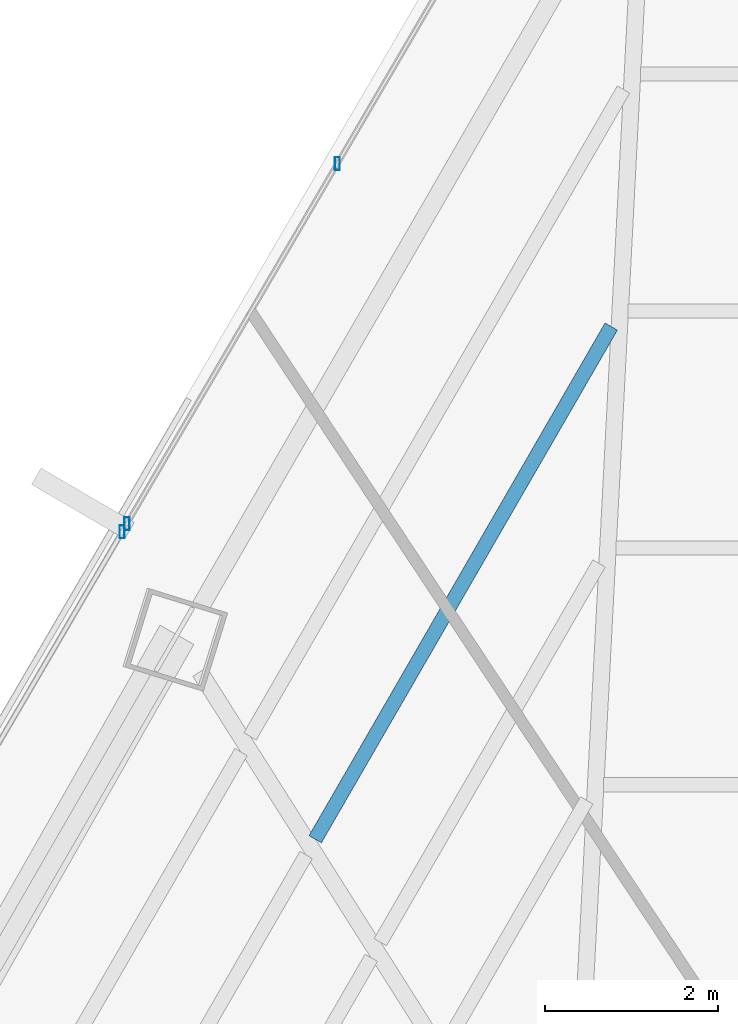
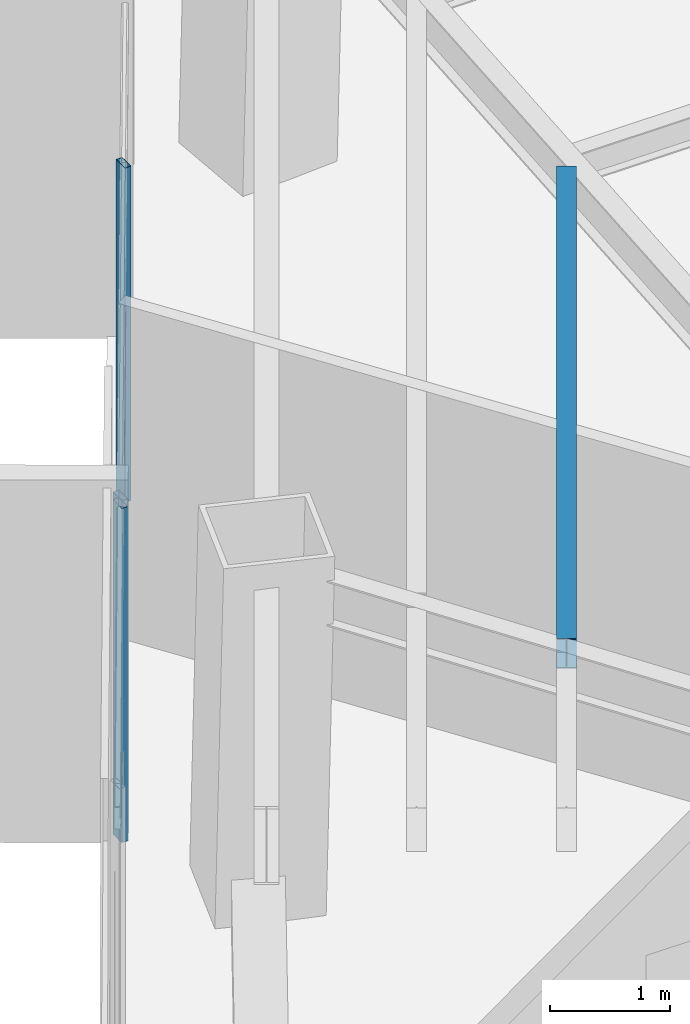
# One storey, part 26 of 41: 3 members, 1 beam, 2 elements without a shape of their own.
"""IFC4 building model written with IfcOpenShell, lengths in metres."""

import ifcopenshell
import ifcopenshell.guid

model = None  # the IFC model being written
_history = None  # IfcOwnerHistory: only IFC2X3 demands one
_inside = {}  # id of a spatial element -> (the spatial element, [elements in it])
_under = {}  # id of a project, library or spatial element -> (it, [spatial elements below it])
_declared = {}  # id of a project -> (the project, [libraries it declares])
_typed = {}  # id of a type object -> (the type object, [elements of that type])
_made_of = {}  # id of a material, layer set ... -> (it, [elements and type objects made of it])


def new_model(schema):
    """Start an empty IFC model of exactly this schema.

    Asked for "IFC4X3", IfcOpenShell would pick the latest addendum, in which some entities
    have other attributes; the version numbers below select the first issue.
    IFC2X3 requires an IfcOwnerHistory on every rooted entity: one is made here for all.
    """
    global model, _history
    if schema == "IFC4X3":
        model = ifcopenshell.file(schema_version=(4, 3, 0, 0))
    else:
        model = ifcopenshell.file(schema=schema)
    _inside.clear()
    _under.clear()
    _declared.clear()
    _typed.clear()
    _made_of.clear()
    _history = None
    if model.schema == "IFC2X3":
        org = make("IfcOrganization", Name="unknown")
        user = make(
            "IfcPersonAndOrganization",
            ThePerson=make("IfcPerson", FamilyName="unknown"),
            TheOrganization=org,
        )
        app = make(
            "IfcApplication",
            ApplicationDeveloper=org,
            Version="unknown",
            ApplicationFullName="unknown",
            ApplicationIdentifier="unknown",
        )
        _history = make(
            "IfcOwnerHistory",
            OwningUser=user,
            OwningApplication=app,
            ChangeAction="ADDED",
            CreationDate=0,
        )
    return model


def make(cls, **values):
    """One entity of the class cls with the attributes given. An attribute that is None is left unset."""
    return model.create_entity(
        cls, **{name: value for name, value in values.items() if value is not None}
    )


def rooted(cls, **values):
    """An entity with a GlobalId (a new one), such as an element, a storey or a relation."""
    return make(cls, GlobalId=ifcopenshell.guid.new(), OwnerHistory=_history, **values)


def si_unit(unit_type, name, prefix=None):
    """IfcSIUnit, for example si_unit("LENGTHUNIT", "METRE", prefix="MILLI")."""
    return make("IfcSIUnit", UnitType=unit_type, Prefix=prefix, Name=name)


def assignment(units):
    """IfcUnitAssignment: the units of a project."""
    return None if units is None else make("IfcUnitAssignment", Units=units)


def point(xyz):
    """IfcCartesianPoint."""
    return None if xyz is None else make("IfcCartesianPoint", Coordinates=xyz)


def direction(xyz):
    """IfcDirection."""
    return None if xyz is None else make("IfcDirection", DirectionRatios=xyz)


def frame(location, z_axis=None, x_axis=None):
    """IfcAxis2Placement3D, a coordinate frame: its origin and axes. An axis left out is left unset."""
    return make(
        "IfcAxis2Placement3D",
        Location=point(location),
        Axis=direction(z_axis),
        RefDirection=direction(x_axis),
    )


def frame_2d(location, x_axis=None):
    """IfcAxis2Placement2D, a coordinate frame in the plane: its origin and x axis."""
    return make(
        "IfcAxis2Placement2D", Location=point(location), RefDirection=direction(x_axis)
    )


def origin():
    """The frame at (0, 0, 0) with its axes left unset."""
    return frame((0.0, 0.0, 0.0))


def origin_2d():
    """The frame at (0, 0) in the plane with its x axis left unset."""
    return frame_2d((0.0, 0.0))


def place(relative_to, where):
    """IfcLocalPlacement: puts the frame where relative to a parent placement (None: the world)."""
    return make(
        "IfcLocalPlacement", PlacementRelTo=relative_to, RelativePlacement=where
    )


def context(
    kind, dimensions, precision=None, world=None, true_north=None, identifier=None
):
    """IfcGeometricRepresentationContext, for example the 3D "Model" context."""
    return make(
        "IfcGeometricRepresentationContext",
        ContextIdentifier=identifier,
        ContextType=kind,
        CoordinateSpaceDimension=dimensions,
        Precision=precision,
        WorldCoordinateSystem=world,
        TrueNorth=true_north,
    )


def subcontext(parent, identifier, kind, view, scale=None):
    """IfcGeometricRepresentationSubContext, for example "Body" below "Model"."""
    return make(
        "IfcGeometricRepresentationSubContext",
        ContextIdentifier=identifier,
        ContextType=kind,
        ParentContext=parent,
        TargetScale=scale,
        TargetView=view,
    )


def project(units=None, contexts=None):
    """IfcProject with its units and contexts."""
    return rooted(
        "IfcProject",
        Name="project",
        RepresentationContexts=contexts,
        UnitsInContext=assignment(units),
    )


def spatial(cls, under=None, at=None, **own):
    """A site, building, storey or space (cls), placed at a placement, below another one or the project."""
    s = rooted(cls, ObjectPlacement=at, **own)
    if under is not None:
        _under.setdefault(under.id(), (under, []))[1].append(s)
    return s


def profile(cls, at=None, kind="AREA", **sizes):
    """A parametric profile (cls). Its sizes go by their IFC names, for example OverallWidth=200.0."""
    return make(cls, ProfileType=kind, Position=at, **sizes)


def hollow_rectangle(**sizes):
    """IfcRectangleHollowProfileDef."""
    return profile("IfcRectangleHollowProfileDef", **sizes)


def i_section(**sizes):
    """IfcIShapeProfileDef."""
    return profile("IfcIShapeProfileDef", **sizes)


def extrude(swept, where, along, depth):
    """IfcExtrudedAreaSolid: the profile swept, set in the frame where, extruded along a direction by depth."""
    return make(
        "IfcExtrudedAreaSolid",
        SweptArea=swept,
        Position=where,
        ExtrudedDirection=direction(along),
        Depth=depth,
    )


def shape(context_of_items, identifier, shape_type, items):
    """IfcShapeRepresentation: the items that make up one representation, for example the "Body"."""
    return make(
        "IfcShapeRepresentation",
        ContextOfItems=context_of_items,
        RepresentationIdentifier=identifier,
        RepresentationType=shape_type,
        Items=items,
    )


def source(mapping_origin, context_of_items, identifier, shape_type, items):
    """IfcRepresentationMap: a shape defined once, which mapped items show again and again."""
    return make(
        "IfcRepresentationMap",
        MappingOrigin=mapping_origin,
        MappedRepresentation=shape(context_of_items, identifier, shape_type, items),
    )


def transform(
    local_origin,
    x_axis=None,
    y_axis=None,
    z_axis=None,
    scale=None,
    scale2=None,
    scale3=None,
    uniform=True,
):
    """IfcCartesianTransformationOperator3D, or its non-uniform kind. x_axis, y_axis, z_axis: its Axis1, 2, 3."""
    if uniform:
        return make(
            "IfcCartesianTransformationOperator3D",
            Axis1=direction(x_axis),
            Axis2=direction(y_axis),
            LocalOrigin=point(local_origin),
            Scale=scale,
            Axis3=direction(z_axis),
        )
    return make(
        "IfcCartesianTransformationOperator3DnonUniform",
        Axis1=direction(x_axis),
        Axis2=direction(y_axis),
        LocalOrigin=point(local_origin),
        Scale=scale,
        Axis3=direction(z_axis),
        Scale2=scale2,
        Scale3=scale3,
    )


def mapped(mapping_source, mapping_target):
    """IfcMappedItem: shows the shape of a source again, moved by a transform."""
    return make(
        "IfcMappedItem", MappingSource=mapping_source, MappingTarget=mapping_target
    )


def material(Name=None, Category=None):
    """IfcMaterial."""
    return make("IfcMaterial", Name=Name, Category=Category)


def material_profile(
    of_material, cross_section, Name=None, Category=None, Priority=None
):
    """IfcMaterialProfile: a cross section and its material."""
    return make(
        "IfcMaterialProfile",
        Name=Name,
        Material=of_material,
        Profile=cross_section,
        Priority=Priority,
        Category=Category,
    )


def profile_set(profiles, Name=None, composite=None):
    """IfcMaterialProfileSet."""
    return make(
        "IfcMaterialProfileSet",
        Name=Name,
        MaterialProfiles=profiles,
        CompositeProfile=composite,
    )


def made_of(thing, what):
    """Note that an element or type object is made of a material, layer set ...; save() writes the relation."""
    if what is not None:
        _made_of.setdefault(what.id(), (what, []))[1].append(thing)
    return thing


def type_object(cls, material=None, **own):
    """A type object (cls), such as IfcWallType, which elements share."""
    return made_of(rooted(cls, **own), material)


def type_shapes(of_type, sources):
    """Give a type object the sources (RepresentationMaps) that its elements show as mapped items."""
    of_type.RepresentationMaps = sources


def element(
    cls,
    number,
    at=None,
    inside=None,
    cuts=None,
    type_object=None,
    material=None,
    context=None,
    identifier="Body",
    shape_type=None,
    held_by="IfcProductDefinitionShape",
    body=None,
    shapes=None,
    **own,
):
    """One element of the class cls, such as IfcWall. Its Tag is "e" and its number.

    at: its placement. inside: the storey or other place that contains it. cuts: it is an
    opening in that element (IfcRelVoidsElement). A single representation is given by context,
    identifier, shape_type and body (its items); several are given by shapes. held_by: the class
    of the entity that holds the representations. save() writes the other relations.
    """
    e = rooted(cls, Tag="e%d" % number, ObjectPlacement=at, **own)
    if body is not None:
        shapes = [shape(context, identifier, shape_type, body)]
    if shapes is not None:
        e.Representation = make(held_by, Representations=shapes)
    if inside is not None:
        _inside.setdefault(inside.id(), (inside, []))[1].append(e)
    if cuts is not None:
        rooted(
            "IfcRelVoidsElement", RelatingBuildingElement=cuts, RelatedOpeningElement=e
        )
    if type_object is not None:
        _typed.setdefault(type_object.id(), (type_object, []))[1].append(e)
    return made_of(e, material)


def aggregate(whole, parts):
    """IfcRelAggregates: a whole, such as a stair, and the parts it consists of."""
    return rooted("IfcRelAggregates", RelatingObject=whole, RelatedObjects=parts)


def save(model, path):
    """Write the relations noted so far, then the file.

    IfcRelAggregates (storeys below a building ...), IfcRelContainedInSpatialStructure (elements
    in a storey), IfcRelDefinesByType, IfcRelAssociatesMaterial and IfcRelDeclares: one each for
    every whole, place, type object, material and project.
    """
    for whole, parts in _under.values():
        aggregate(whole, parts)
    for where, things in _inside.values():
        rooted(
            "IfcRelContainedInSpatialStructure",
            RelatedElements=things,
            RelatingStructure=where,
        )
    for kind, things in _typed.values():
        rooted("IfcRelDefinesByType", RelatedObjects=things, RelatingType=kind)
    for what, things in _made_of.values():
        rooted("IfcRelAssociatesMaterial", RelatedObjects=things, RelatingMaterial=what)
    for by, libraries in _declared.values():
        rooted("IfcRelDeclares", RelatingContext=by, RelatedDefinitions=libraries)
    model.write(path)


model = new_model("IFC4")

# Units and contexts
model_context = context("Model", 3, precision=1e-05, world=origin(), true_north=direction((0.0, 1.0)))
body_context = subcontext(model_context, "Body", "Model", "MODEL_VIEW")
ifc_project = project(units=[si_unit("LENGTHUNIT", "METRE"), si_unit("AREAUNIT", "SQUARE_METRE"), si_unit("VOLUMEUNIT", "CUBIC_METRE"), si_unit("PLANEANGLEUNIT", "RADIAN"), si_unit("MASSUNIT", "GRAM", prefix="KILO")], contexts=[model_context])

# Site, building, storey
site_placement = place(None, origin())
site = spatial("IfcSite", under=ifc_project, at=site_placement, CompositionType="ELEMENT")
building_placement = place(site_placement, origin())
building = spatial("IfcBuilding", under=site, at=building_placement, Name="Caelisora Broadcast Tower", CompositionType="ELEMENT")
storey_placement = place(building_placement, frame((0.0, 0.0, 135.449951171875)))
storey = spatial("IfcBuildingStorey", under=building, at=storey_placement, Name="L35", CompositionType="ELEMENT", Elevation=135.449951171875)

# Beam
ifc_material_1 = material(Name="Steel Grade 350 (AS/NZS 3679.1)", Category="steel")
ifc_material_profile_1 = material_profile(ifc_material_1, i_section(OverallWidth=0.166015625, OverallDepth=0.30712890625, WebThickness=0.006591796875, FlangeThickness=0.01171875, at=origin_2d()), Name="Steel Grade 350 (AS/NZS 3679.1)")
ifc_profile_set_1 = profile_set([ifc_material_profile_1], Name="Steel Grade 350 (AS/NZS 3679.1)")
beam_type = type_object("IfcBeamType", Name="SB03", PredefinedType="JOIST", material=ifc_profile_set_1)
shared_shape_1 = source(origin(), body_context, "Body", "SweptSolid", [
    extrude(i_section(OverallWidth=0.166015625, OverallDepth=0.30712890625, WebThickness=0.006591796875, FlangeThickness=0.01171875, at=origin_2d()), origin(), (0.0, 0.0, 1.0), 6.858642578125),
])
type_shapes(beam_type, [shared_shape_1])
beam_placement = place(storey_placement, frame((30.964599609375, 40.79931640625, 3.246337890625), z_axis=(-0.500017227506, -0.866015457251, 0.0), x_axis=(0.866015457251, -0.500017227506, 0.0)))
element("IfcBeam", 1, at=beam_placement, inside=storey, type_object=beam_type, Name="L35 beam SB03", PredefinedType="JOIST", context=body_context, shape_type="MappedRepresentation", body=[
    mapped(shared_shape_1, transform((0.0, 0.0, 0.0), scale=1.0)),
])

# Curtain wall, member
ifc_material_2 = material(Name="Unitised Aluminium Insulated Shadow-Box Spandrel Curtain Wall", Category="aluminium")
curtain_wall_type_1 = type_object("IfcCurtainWallType", Name="CW-SP2", PredefinedType="NOTDEFINED", material=ifc_material_2)
curtain_wall_1_placement = place(storey_placement, origin())
curtain_wall_1 = element("IfcCurtainWall", 2, at=curtain_wall_1_placement, inside=storey, type_object=curtain_wall_type_1, Name="L35 curtain wall CW-SP2", PredefinedType="NOTDEFINED")
ifc_material_3 = material(Name="Aluminium 6063-T6 Anodised Terracotta Bronze", Category="aluminium")
ifc_material_profile_2 = material_profile(ifc_material_3, hollow_rectangle(XDim=0.06005859375, YDim=0.14990234375, WallThickness=0.00341796875, at=origin_2d()), Name="Aluminium 6063-T6 Anodised Terracotta Bronze")
ifc_profile_set_2 = profile_set([ifc_material_profile_2], Name="Aluminium 6063-T6 Anodised Terracotta Bronze")
member_type = type_object("IfcMemberType", Name="CWM-03", PredefinedType="MULLION", material=ifc_profile_set_2)
shared_shape_2 = source(origin(), body_context, "Body", "SweptSolid", [
    extrude(hollow_rectangle(XDim=0.06005859375, YDim=0.14990234375, WallThickness=0.00341796875, at=origin_2d()), origin(), (0.0, 0.0, 1.0), 3.400146484375),
])
type_shapes(member_type, [shared_shape_2])
member_1_placement = place(storey_placement, frame((25.299072265625, 38.419921875, 0.0), z_axis=(0.0, 0.0, 1.0), x_axis=(1.0, 0.0, 0.0)))
member_1 = element("IfcMember", 3, at=member_1_placement, type_object=member_type, Name="L35-CW-B10 mullion #3", PredefinedType="MULLION", context=body_context, shape_type="MappedRepresentation", body=[
    mapped(shared_shape_2, transform((0.0, 0.0, 0.0), scale=1.0)),
])
aggregate(curtain_wall_1, [member_1])

# Curtain wall, members
ifc_material_4 = material(Name="Unitised Aluminium and Low-E Glass Curtain Wall", Category="glass")
curtain_wall_type_2 = type_object("IfcCurtainWallType", Name="CW-Z3", PredefinedType="NOTDEFINED", material=ifc_material_4)
curtain_wall_2_placement = place(storey_placement, origin())
curtain_wall_2 = element("IfcCurtainWall", 4, at=curtain_wall_2_placement, inside=storey, type_object=curtain_wall_type_2, Name="L35 curtain wall CW-Z3", PredefinedType="NOTDEFINED")
member_2_placement = place(storey_placement, frame((25.3544921875, 38.514892578125, 0.0), z_axis=(0.0, 0.0, 1.0), x_axis=(1.0, 0.0, 0.0)))
member_2 = element("IfcMember", 5, at=member_2_placement, type_object=member_type, Name="L35-CW-B11 mullion #0", PredefinedType="MULLION", context=body_context, shape_type="MappedRepresentation", body=[
    mapped(shared_shape_2, transform((0.0, 0.0, 0.0), scale=1.0)),
])
member_3_placement = place(storey_placement, frame((27.792236328125, 42.686279296875, 0.0), z_axis=(0.0, 0.0, 1.0), x_axis=(1.0, 0.0, 0.0)))
member_3 = element("IfcMember", 6, at=member_3_placement, type_object=member_type, Name="L35-CW-B11 mullion #1", PredefinedType="MULLION", context=body_context, shape_type="MappedRepresentation", body=[
    mapped(shared_shape_2, transform((0.0, 0.0, 0.0), scale=1.0)),
])
aggregate(curtain_wall_2, [member_2, member_3])

save(model, "model.ifc")
